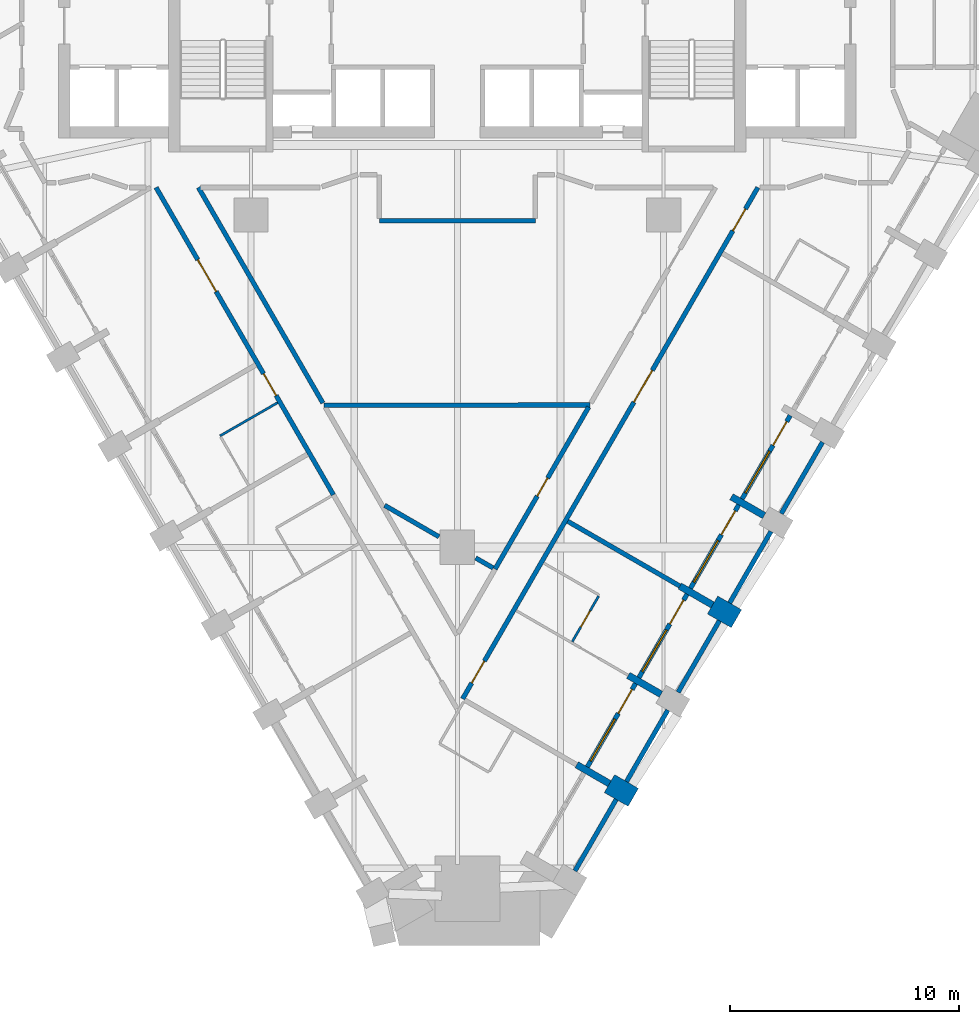
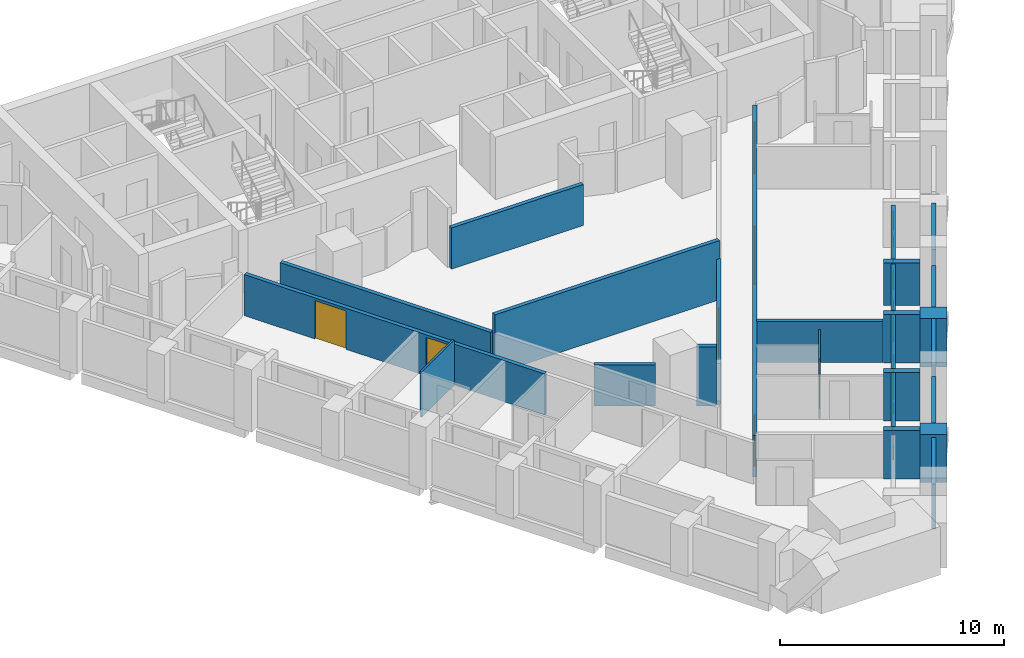
# One storey, part 4 of 11: 26 walls, 11 doors, 4 windows, 15 openings.
"""IFC4 building model written with IfcOpenShell, lengths in metres."""

from ifc_helpers import new_model, si_unit, direction, frame, frame_2d, origin, place, context, subcontext, project, spatial, polyline, rectangle, outline, extrude, material, layer, layer_set, type_object, element, fill, save


model = new_model("IFC4")

# Units and contexts
model_context = context("Model", 3, precision=1e-05, world=origin(), true_north=direction((0.0, 1.0)))
body_context = subcontext(model_context, "Body", "Model", "MODEL_VIEW")
ifc_project = project(units=[si_unit("LENGTHUNIT", "METRE"), si_unit("AREAUNIT", "SQUARE_METRE"), si_unit("VOLUMEUNIT", "CUBIC_METRE"), si_unit("PLANEANGLEUNIT", "RADIAN"), si_unit("MASSUNIT", "GRAM", prefix="KILO")], contexts=[model_context])

# Site, building, storey
site_placement = place(None, origin())
site = spatial("IfcSite", under=ifc_project, at=site_placement, CompositionType="ELEMENT")
building_placement = place(site_placement, origin())
building = spatial("IfcBuilding", under=site, at=building_placement, Name="Calabash Gate Tower", CompositionType="ELEMENT")
storey_placement = place(building_placement, frame((0.0, 0.0, 129.199951171875)))
storey = spatial("IfcBuildingStorey", under=building, at=storey_placement, Name="L30", CompositionType="ELEMENT", Elevation=129.199951171875)

# Walls
ifc_material_1 = material(Name="Terracotta brick masonry, exposed face", Category="masonry")
ifc_layer_1 = layer(ifc_material_1, 1.199951171875)
ifc_layer_set_1 = layer_set([ifc_layer_1], Name="Brick end wall 1200")
wall_type_1 = type_object("IfcWallType", Name="Brick end wall 1200", PredefinedType="SOLIDWALL", material=ifc_layer_set_1)
wall_1_placement = place(storey_placement, frame((7.67626953125, -22.9091796875, 0.0), z_axis=(0.0, 0.0, 1.0), x_axis=(-0.866094119867, 0.499880961361, 0.0)))
element("IfcWall", 1, at=wall_1_placement, inside=storey, type_object=wall_type_1, Name="Brick pier S08 SE2.1", PredefinedType="SOLIDWALL", context=body_context, shape_type="SweptSolid", body=[
    extrude(rectangle(XDim=1.199951171875, YDim=0.89990234375, at=frame_2d((0.60009765625, 0.0))), origin(), (0.0, 0.0, 1.0), 2.6279296875),
])
wall_2_placement = place(storey_placement, frame((12.17626953125, -15.114990234375, 0.0), z_axis=(0.0, 0.0, 1.0), x_axis=(-0.866094119867, 0.499880961361, 0.0)))
element("IfcWall", 2, at=wall_2_placement, inside=storey, type_object=wall_type_1, Name="Brick pier S08 SE2.3", PredefinedType="SOLIDWALL", context=body_context, shape_type="SweptSolid", body=[
    extrude(rectangle(XDim=1.199951171875, YDim=0.89990234375, at=frame_2d((0.60009765625, 0.0))), origin(), (0.0, 0.0, 1.0), 2.630126953125),
])
ifc_material_2 = material(Name="Terracotta brick masonry, exposed face", Category="masonry")
ifc_layer_2 = layer(ifc_material_2, 0.300048828125)
ifc_layer_set_2 = layer_set([ifc_layer_2], Name="Brick loggia cheek wall 300")
wall_type_2 = type_object("IfcWallType", Name="Brick loggia cheek wall 300", PredefinedType="SOLIDWALL", material=ifc_layer_set_2)
wall_3_placement = place(storey_placement, frame((6.636962890625, -22.309326171875, 0.0), z_axis=(0.0, 0.0, 1.0), x_axis=(-0.866040211805, 0.499974350878, 0.0)))
element("IfcWall", 3, at=wall_3_placement, inside=storey, type_object=wall_type_2, Name="Loggia cheek S08 SE2.1", PredefinedType="SOLIDWALL", context=body_context, shape_type="SweptSolid", body=[
    extrude(rectangle(XDim=1.64990234375, YDim=0.300048828125, at=frame_2d((0.824951171875, 0.0))), origin(), (0.0, 0.0, 1.0), 2.6279296875),
])
for number, where, z_axis, x_axis, name in (
    (4, (8.886962890625, -18.412109375, 0.0), (0.0, 0.0, 1.0), (-0.866040211805, 0.499974350878, 0.0), "Loggia cheek S08 SE2.2"),
    (5, (9.7080078125, -13.690185546875, 0.0), (0.0, 0.0, 1.0), (0.866040211805, -0.499974350878, 0.0), "Loggia cheek S08 SE2.3"),
):
    element("IfcWall", number, at=place(storey_placement, frame(where, z_axis=z_axis, x_axis=x_axis)), inside=storey, type_object=wall_type_2, Name=name, PredefinedType="SOLIDWALL", context=body_context, shape_type="SweptSolid", body=[
        extrude(rectangle(XDim=1.64990234375, YDim=0.300048828125, at=frame_2d((0.824951171875, 0.0))), origin(), (0.0, 0.0, 1.0), 2.650146484375),
    ])
wall_4_placement = place(storey_placement, frame((11.9580078125, -9.79296875, 0.0), z_axis=(0.0, 0.0, 1.0), x_axis=(0.866040211805, -0.499974350878, 0.0)))
element("IfcWall", 6, at=wall_4_placement, inside=storey, type_object=wall_type_2, Name="Loggia cheek S08 SE2.4", PredefinedType="SOLIDWALL", context=body_context, shape_type="SweptSolid", body=[
    extrude(rectangle(XDim=1.64990234375, YDim=0.300048828125, at=frame_2d((0.824951171875, 0.0))), origin(), (0.0, 0.0, 1.0), 2.30810546875),
])

# Wall, opening, door
ifc_material_3 = material(Name="Gypsum board on steel studs, mineral wool", Category="steel")
ifc_layer_3 = layer(ifc_material_3, 0.10009765625)
ifc_layer_set_3 = layer_set([ifc_layer_3], Name="Partition 100 gypsum board")
wall_type_3 = type_object("IfcWallType", Name="Partition 100 gypsum board", PredefinedType="PARTITIONING", material=ifc_layer_set_3)
wall_5_placement = place(storey_placement, frame((5.014404296875, -16.1162109375, 0.0), z_axis=(0.0, 0.0, 1.0), x_axis=(0.500617411337, 0.865668647617, 0.0)))
wall_5 = element("IfcWall", 7, at=wall_5_placement, inside=storey, type_object=wall_type_3, Name="Partition", PredefinedType="PARTITIONING", context=body_context, shape_type="SweptSolid", body=[
    extrude(rectangle(XDim=2.2978515625, YDim=0.10009765625, at=frame_2d((1.14892578125, 0.0))), origin(), (0.0, 0.0, 1.0), 3.22998046875),
])
opening_1_placement = place(wall_5_placement, frame((0.748046875, 0.0, 0.0)))
opening_1 = element("IfcOpeningElement", 8, at=opening_1_placement, cuts=wall_5, Name="Opening 28-30-009", PredefinedType="OPENING", context=body_context, shape_type="SweptSolid", body=[
    extrude(rectangle(XDim=0.800048828125, YDim=2.10009765625, at=frame_2d((0.39990234375, 1.050048828125))), frame((0.0, 0.06005859375, 0.0), z_axis=(0.0, -1.0, 0.0), x_axis=(1.0, 0.0, 0.0)), (0.0, 0.0, 1.0), 0.1201171875),
])
ifc_material_4 = material(Name="Painted timber door", Category="wood")
door_type_1 = type_object("IfcDoorType", Name="GD5 En-suite door 800x2100", OperationType="NOTDEFINED", PredefinedType="DOOR", material=ifc_material_4)
door_1_placement = place(opening_1_placement, origin())
door_1 = element("IfcDoor", 9, at=door_1_placement, inside=storey, type_object=door_type_1, Name="En-suite door", OperationType="SINGLE_SWING_RIGHT", OverallHeight=2.10009765625, OverallWidth=0.800048828125, PredefinedType="DOOR", context=body_context, shape_type="SweptSolid", body=[
    extrude(rectangle(XDim=0.800048828125, YDim=2.10009765625, at=frame_2d((0.39990234375, 1.050048828125))), frame((0.0, 0.02490234375, 0.0), z_axis=(0.0, -1.0, 0.0), x_axis=(1.0, 0.0, 0.0)), (0.0, 0.0, 1.0), 0.050048828125),
])
fill(opening_1, door_1)

# Wall
wall_6_placement = place(storey_placement, frame((-10.350830078125, -7.13671875, 0.0), z_axis=(0.0, 0.0, 1.0), x_axis=(0.86625706142, 0.499598542372, 0.0)))
element("IfcWall", 10, at=wall_6_placement, inside=storey, type_object=wall_type_3, Name="Partition", PredefinedType="PARTITIONING", context=body_context, shape_type="SweptSolid", body=[
    extrude(rectangle(XDim=2.89990234375, YDim=0.10009765625, at=frame_2d((1.449951171875, 0.0))), origin(), (0.0, 0.0, 1.0), 2.4736328125),
])

# Wall, opening, door
ifc_material_5 = material(Name="Gypsum board on steel studs, mineral wool", Category="steel")
ifc_layer_4 = layer(ifc_material_5, 0.199951171875)
ifc_layer_set_4 = layer_set([ifc_layer_4], Name="Partition 200 gypsum board EI 60")
wall_type_4 = type_object("IfcWallType", Name="Partition 200 gypsum board EI 60", PredefinedType="PARTITIONING", material=ifc_layer_set_4)
wall_7_placement = place(storey_placement, frame((1.646728515625, -12.948486328125, 0.0), z_axis=(0.0, 0.0, 1.0), x_axis=(0.500209850425, 0.865904212681, 0.0)))
wall_7 = element("IfcWall", 11, at=wall_7_placement, inside=storey, type_object=wall_type_4, Name="Partition", PredefinedType="PARTITIONING", context=body_context, shape_type="SweptSolid", body=[
    extrude(rectangle(XDim=8.16552734375, YDim=0.199951171875, at=frame_2d((4.082763671875, 0.0))), origin(), (0.0, 0.0, 1.0), 2.24169921875),
])
opening_2_placement = place(wall_7_placement, frame((3.681884765625, 0.0, 0.0)))
opening_2 = element("IfcOpeningElement", 12, at=opening_2_placement, cuts=wall_7, Name="Opening 28-30-013", PredefinedType="OPENING", context=body_context, shape_type="SweptSolid", body=[
    extrude(rectangle(XDim=0.89990234375, YDim=2.10009765625, at=frame_2d((0.449951171875, 1.050048828125))), frame((0.0, 0.10986328125, 0.0), z_axis=(0.0, -1.0, 0.0), x_axis=(1.0, 0.0, 0.0)), (0.0, 0.0, 1.0), 0.219970703125),
])
ifc_material_6 = material(Name="Steel fire door set with fire-resisting glazing", Category="steel")
door_type_2 = type_object("IfcDoorType", Name="SD3 Store door 900x2100", OperationType="NOTDEFINED", PredefinedType="DOOR", material=ifc_material_6)
door_2_placement = place(opening_2_placement, origin())
door_2 = element("IfcDoor", 13, at=door_2_placement, inside=storey, type_object=door_type_2, Name="Store door", OperationType="SINGLE_SWING_RIGHT", OverallHeight=2.10009765625, OverallWidth=0.89990234375, PredefinedType="DOOR", context=body_context, shape_type="SweptSolid", body=[
    extrude(rectangle(XDim=0.89990234375, YDim=2.10009765625, at=frame_2d((0.449951171875, 1.050048828125))), frame((0.0, 0.02490234375, 0.0), z_axis=(0.0, -1.0, 0.0), x_axis=(1.0, 0.0, 0.0)), (0.0, 0.0, 1.0), 0.050048828125),
])
fill(opening_2, door_2)

# Walls
wall_8_placement = place(storey_placement, frame((0.800048828125, -12.461669921875, 0.0), z_axis=(0.0, 0.0, 1.0), x_axis=(0.866903294585, -0.498476356347, 0.0)))
element("IfcWall", 14, at=wall_8_placement, inside=storey, type_object=wall_type_4, Name="Partition", PredefinedType="PARTITIONING", context=body_context, shape_type="SweptSolid", body=[
    extrude(rectangle(XDim=0.876708984375, YDim=0.199951171875, at=frame_2d((0.4384765625, 0.0))), origin(), (0.0, 0.0, 1.0), 3.22998046875),
])
wall_9_placement = place(storey_placement, frame((4.816162109375, -10.863525390625, 0.0), z_axis=(0.0, 0.0, 1.0), x_axis=(0.865863825321, -0.500279757735, 0.0)))
element("IfcWall", 15, at=wall_9_placement, inside=storey, type_object=wall_type_4, Name="Partition", PredefinedType="PARTITIONING", context=body_context, shape_type="SweptSolid", body=[
    extrude(rectangle(XDim=5.649658203125, YDim=0.199951171875, at=frame_2d((2.82470703125, 0.0))), origin(), (0.0, 0.0, 1.0), 2.24169921875),
])
wall_10_placement = place(storey_placement, frame((-3.17138671875, -10.167724609375, 0.0), z_axis=(0.0, 0.0, 1.0), x_axis=(0.865863357012, -0.500280568265, 0.0)))
element("IfcWall", 16, at=wall_10_placement, inside=storey, type_object=wall_type_4, Name="Partition", PredefinedType="PARTITIONING", context=body_context, shape_type="SweptSolid", body=[
    extrude(rectangle(XDim=2.73876953125, YDim=0.199951171875, at=frame_2d((1.369384765625, 0.0))), origin(), (0.0, 0.0, 1.0), 2.24169921875),
])

# Wall, openings, doors
wall_11_placement = place(storey_placement, frame((-13.143310546875, 3.69970703125, 0.0), z_axis=(0.0, 0.0, 1.0), x_axis=(0.499816656841, -0.866131231133, 0.0)))
wall_11 = element("IfcWall", 17, at=wall_11_placement, inside=storey, type_object=wall_type_4, Name="Partition", PredefinedType="PARTITIONING", context=body_context, shape_type="SweptSolid", body=[
    extrude(rectangle(XDim=15.480224609375, YDim=0.199951171875, at=frame_2d((7.740234375, 0.0))), origin(), (0.0, 0.0, 1.0), 2.24169921875),
])
opening_3_placement = place(wall_11_placement, frame((3.640380859375, 0.0, 0.0)))
opening_3 = element("IfcOpeningElement", 18, at=opening_3_placement, cuts=wall_11, Name="Opening 28-30-001", PredefinedType="OPENING", context=body_context, shape_type="SweptSolid", body=[
    extrude(rectangle(XDim=1.60009765625, YDim=2.10009765625, at=frame_2d((0.800048828125, 1.050048828125))), frame((0.0, 0.10986328125, 0.0), z_axis=(0.0, -1.0, 0.0), x_axis=(1.0, 0.0, 0.0)), (0.0, 0.0, 1.0), 0.219970703125),
])
opening_4_placement = place(wall_11_placement, frame((9.380859375, 0.0, 0.0)))
opening_4 = element("IfcOpeningElement", 19, at=opening_4_placement, cuts=wall_11, Name="Opening 28-30-002", PredefinedType="OPENING", context=body_context, shape_type="SweptSolid", body=[
    extrude(rectangle(XDim=1.10009765625, YDim=2.10009765625, at=frame_2d((0.550048828125, 1.050048828125))), frame((0.0, 0.10986328125, 0.0), z_axis=(0.0, -1.0, 0.0), x_axis=(1.0, 0.0, 0.0)), (0.0, 0.0, 1.0), 0.219970703125),
])
ifc_material_7 = material(Name="Steel fire door set with fire-resisting glazing", Category="steel")
door_type_3 = type_object("IfcDoorType", Name="GD2 Accessible guest room entrance door 1100x2100", OperationType="NOTDEFINED", PredefinedType="DOOR", material=ifc_material_7)
door_3_placement = place(opening_4_placement, origin())
door_3 = element("IfcDoor", 20, at=door_3_placement, inside=storey, type_object=door_type_3, Name="Accessible guest room entrance door", OperationType="SINGLE_SWING_RIGHT", OverallHeight=2.10009765625, OverallWidth=1.10009765625, PredefinedType="DOOR", context=body_context, shape_type="SweptSolid", body=[
    extrude(rectangle(XDim=1.10009765625, YDim=2.10009765625, at=frame_2d((0.550048828125, 1.050048828125))), frame((0.0, 0.02490234375, 0.0), z_axis=(0.0, -1.0, 0.0), x_axis=(1.0, 0.0, 0.0)), (0.0, 0.0, 1.0), 0.050048828125),
])
fill(opening_4, door_3)
ifc_material_8 = material(Name="Steel fire door set with fire-resisting glazing", Category="steel")
door_type_4 = type_object("IfcDoorType", Name="LD1 Lounge double door 1600x2100", OperationType="NOTDEFINED", PredefinedType="DOOR", material=ifc_material_8)
door_4_placement = place(opening_3_placement, origin())
door_4 = element("IfcDoor", 21, at=door_4_placement, inside=storey, type_object=door_type_4, Name="Lounge double door", OperationType="DOUBLE_DOOR_SINGLE_SWING", OverallHeight=2.10009765625, OverallWidth=1.60009765625, PredefinedType="DOOR", context=body_context, shape_type="SweptSolid", body=[
    extrude(rectangle(XDim=1.60009765625, YDim=2.10009765625, at=frame_2d((0.800048828125, 1.050048828125))), frame((0.0, 0.02490234375, 0.0), z_axis=(0.0, -1.0, 0.0), x_axis=(1.0, 0.0, 0.0)), (0.0, 0.0, 1.0), 0.050048828125),
])
fill(opening_3, door_4)

# Walls
wall_12_placement = place(storey_placement, frame((-5.8125, -5.793212890625, 0.0), z_axis=(0.0, 0.0, 1.0), x_axis=(0.999999989135, 0.000147408763, 0.0)))
element("IfcWall", 22, at=wall_12_placement, inside=storey, type_object=wall_type_4, Name="Partition", PredefinedType="PARTITIONING", context=body_context, shape_type="SweptSolid", body=[
    extrude(rectangle(XDim=11.593505859375, YDim=0.199951171875, at=frame_2d((5.796875, 0.0))), origin(), (0.0, 0.0, 1.0), 3.22998046875),
])
wall_13_placement = place(storey_placement, frame((-3.400146484375, 2.25244140625, 0.0), z_axis=(0.0, 0.0, 1.0), x_axis=(1.0, 0.0, 0.0)))
element("IfcWall", 23, at=wall_13_placement, inside=storey, type_object=wall_type_4, Name="Partition", PredefinedType="PARTITIONING", context=body_context, shape_type="SweptSolid", body=[
    extrude(rectangle(XDim=6.800048828125, YDim=0.199951171875, at=frame_2d((3.39990234375, 0.0))), origin(), (0.0, 0.0, 1.0), 2.24169921875),
])
wall_14_placement = place(storey_placement, frame((-11.29541015625, 3.69970703125, 0.0), z_axis=(0.0, 0.0, 1.0), x_axis=(0.500007885066, -0.866020851292, 0.0)))
element("IfcWall", 24, at=wall_14_placement, inside=storey, type_object=wall_type_4, Name="Partition", PredefinedType="PARTITIONING", context=body_context, shape_type="SweptSolid", body=[
    extrude(rectangle(XDim=10.859130859375, YDim=0.199951171875, at=frame_2d((5.4296875, 0.0))), origin(), (0.0, 0.0, 1.0), 2.24169921875),
])

# Wall, openings, doors
wall_15_placement = place(storey_placement, frame((0.22998046875, -18.6103515625, 0.0), z_axis=(0.0, 0.0, 1.0), x_axis=(0.499999197515, 0.866025867099, 0.0)))
wall_15 = element("IfcWall", 25, at=wall_15_placement, inside=storey, type_object=wall_type_4, Name="Partition", PredefinedType="PARTITIONING", context=body_context, shape_type="SweptSolid", body=[
    extrude(rectangle(XDim=25.76025390625, YDim=0.199951171875, at=frame_2d((12.880126953125, 0.0))), origin(), (0.0, 0.0, 1.0), 2.24169921875),
])
opening_5_placement = place(wall_15_placement, frame((0.800048828125, 0.0, 0.0)))
opening_5 = element("IfcOpeningElement", 26, at=opening_5_placement, cuts=wall_15, Name="Opening 28-30-007", PredefinedType="OPENING", context=body_context, shape_type="SweptSolid", body=[
    extrude(rectangle(XDim=1.10009765625, YDim=2.10009765625, at=frame_2d((0.550048828125, 1.050048828125))), frame((0.0, 0.10986328125, 0.0), z_axis=(0.0, -1.0, 0.0), x_axis=(1.0, 0.0, 0.0)), (0.0, 0.0, 1.0), 0.219970703125),
])
opening_6_placement = place(wall_15_placement, frame((14.9501953125, 0.0, 0.0)))
opening_6 = element("IfcOpeningElement", 27, at=opening_6_placement, cuts=wall_15, Name="Opening 28-30-010", PredefinedType="OPENING", context=body_context, shape_type="SweptSolid", body=[
    extrude(rectangle(XDim=1.60009765625, YDim=2.10009765625, at=frame_2d((0.800048828125, 1.050048828125))), frame((0.0, 0.10986328125, 0.0), z_axis=(0.0, -1.0, 0.0), x_axis=(1.0, 0.0, 0.0)), (0.0, 0.0, 1.0), 0.219970703125),
])
opening_7_placement = place(wall_15_placement, frame((23.580322265625, 0.0, 0.0)))
opening_7 = element("IfcOpeningElement", 28, at=opening_7_placement, cuts=wall_15, Name="Opening 28-30-023", PredefinedType="OPENING", context=body_context, shape_type="SweptSolid", body=[
    extrude(rectangle(XDim=1.10009765625, YDim=2.10009765625, at=frame_2d((0.550048828125, 1.050048828125))), frame((0.0, 0.10986328125, 0.0), z_axis=(0.0, -1.0, 0.0), x_axis=(1.0, 0.0, 0.0)), (0.0, 0.0, 1.0), 0.219970703125),
])
ifc_material_9 = material(Name="Steel fire door set with fire-resisting glazing", Category="steel")
door_type_5 = type_object("IfcDoorType", Name="GD3 Suite entrance door 1100x2100", OperationType="NOTDEFINED", PredefinedType="DOOR", material=ifc_material_9)
door_5_placement = place(opening_5_placement, origin())
door_5 = element("IfcDoor", 29, at=door_5_placement, inside=storey, type_object=door_type_5, Name="Suite entrance door", OperationType="SINGLE_SWING_RIGHT", OverallHeight=2.10009765625, OverallWidth=1.10009765625, PredefinedType="DOOR", context=body_context, shape_type="SweptSolid", body=[
    extrude(rectangle(XDim=1.10009765625, YDim=2.10009765625, at=frame_2d((0.550048828125, 1.050048828125))), frame((0.0, 0.02490234375, 0.0), z_axis=(0.0, -1.0, 0.0), x_axis=(1.0, 0.0, 0.0)), (0.0, 0.0, 1.0), 0.050048828125),
])
fill(opening_5, door_5)
door_6_placement = place(opening_7_placement, origin())
door_6 = element("IfcDoor", 30, at=door_6_placement, inside=storey, type_object=door_type_5, Name="Suite entrance door", OperationType="SINGLE_SWING_LEFT", OverallHeight=2.10009765625, OverallWidth=1.10009765625, PredefinedType="DOOR", context=body_context, shape_type="SweptSolid", body=[
    extrude(rectangle(XDim=1.10009765625, YDim=2.10009765625, at=frame_2d((0.550048828125, 1.050048828125))), frame((0.0, 0.02490234375, 0.0), z_axis=(0.0, -1.0, 0.0), x_axis=(1.0, 0.0, 0.0)), (0.0, 0.0, 1.0), 0.050048828125),
])
fill(opening_7, door_6)
door_7_placement = place(opening_6_placement, origin())
door_7 = element("IfcDoor", 31, at=door_7_placement, inside=storey, type_object=door_type_4, Name="Lounge double door", OperationType="DOUBLE_DOOR_SINGLE_SWING", OverallHeight=2.10009765625, OverallWidth=1.60009765625, PredefinedType="DOOR", context=body_context, shape_type="SweptSolid", body=[
    extrude(rectangle(XDim=1.60009765625, YDim=2.10009765625, at=frame_2d((0.800048828125, 1.050048828125))), frame((0.0, 0.02490234375, 0.0), z_axis=(0.0, -1.0, 0.0), x_axis=(1.0, 0.0, 0.0)), (0.0, 0.0, 1.0), 0.050048828125),
])
fill(opening_6, door_7)

# Walls
ifc_material_10 = material(Name="Terracotta brick masonry, perforated", Category="masonry")
ifc_layer_5 = layer(ifc_material_10, 0.199951171875)
ifc_layer_set_5 = layer_set([ifc_layer_5], Name="Terracotta jaali screen B")
wall_type_5 = type_object("IfcWallType", Name="Terracotta jaali screen B", PredefinedType="SOLIDWALL", material=ifc_layer_set_5)
wall_16_placement = place(storey_placement, origin())
element("IfcWall", 32, at=wall_16_placement, inside=storey, type_object=wall_type_5, Name="SCREEN B S08 SE2.1", PredefinedType="SOLIDWALL", context=body_context, shape_type="SweptSolid", body=[
    extrude(outline(polyline([(6.844970703125, -22.948974609375), (5.045166015625, -26.066162109375), (5.218505859375, -26.166259765625), (7.01806640625, -23.049072265625), (6.844970703125, -22.948974609375)])), origin(), (0.0, 0.0, 1.0), 2.4501953125),
])
for number, where, z_axis, x_axis, name in (
    (33, (7.381591796875, -22.219482421875, 0.0), (0.0, 0.0, 1.0), (0.500012057535, 0.866018442252, 0.0), "SCREEN B S08 SE2.2"),
    (34, (9.631591796875, -18.322509765625, 0.0), (0.0, 0.0, 1.0), (0.500012057535, 0.866018442252, 0.0), "SCREEN B S08 SE2.3"),
):
    element("IfcWall", number, at=place(storey_placement, frame(where, z_axis=z_axis, x_axis=x_axis)), inside=storey, type_object=wall_type_5, Name=name, PredefinedType="SOLIDWALL", context=body_context, shape_type="SweptSolid", body=[
        extrude(rectangle(XDim=3.60009765625, YDim=0.199951171875, at=frame_2d((1.800048828125, 0.0))), origin(), (0.0, 0.0, 1.0), 2.630126953125),
    ])
wall_17_placement = place(storey_placement, frame((11.881591796875, -14.42529296875, 0.0), z_axis=(0.0, 0.0, 1.0), x_axis=(0.500012057535, 0.866018442252, 0.0)))
element("IfcWall", 35, at=wall_17_placement, inside=storey, type_object=wall_type_5, Name="SCREEN B S08 SE2.4", PredefinedType="SOLIDWALL", context=body_context, shape_type="SweptSolid", body=[
    extrude(rectangle(XDim=3.60009765625, YDim=0.199951171875, at=frame_2d((1.800048828125, 0.0))), origin(), (0.0, 0.0, 1.0), 2.3740234375),
])
wall_18_placement = place(storey_placement, frame((14.131591796875, -10.5283203125, 0.0), z_axis=(0.0, 0.0, 1.0), x_axis=(0.500012057535, 0.866018442252, 0.0)))
element("IfcWall", 36, at=wall_18_placement, inside=storey, type_object=wall_type_5, Name="SCREEN B S08 SE2.5", PredefinedType="SOLIDWALL", context=body_context, shape_type="SweptSolid", body=[
    extrude(rectangle(XDim=3.60009765625, YDim=0.199951171875, at=frame_2d((1.800048828125, 0.0))), origin(), (0.0, 0.0, 1.0), 2.630126953125),
])

# Wall, openings, door, window
ifc_material_11 = material(Name="Aluminium framed window wall with insulated spandrel", Category="aluminium")
ifc_layer_6 = layer(ifc_material_11, 0.199951171875)
ifc_layer_set_6 = layer_set([ifc_layer_6], Name="Window wall 200")
wall_type_6 = type_object("IfcWallType", Name="Window wall 200", PredefinedType="ELEMENTEDWALL", material=ifc_layer_set_6)
wall_19_placement = place(storey_placement, frame((5.6728515625, -21.579345703125, 0.0), z_axis=(0.0, 0.0, 1.0), x_axis=(0.49998411664, 0.866034573852, 0.0)))
wall_19 = element("IfcWall", 37, at=wall_19_placement, inside=storey, type_object=wall_type_6, Name="Window wall S08 SE2.2", PredefinedType="ELEMENTEDWALL", context=body_context, shape_type="SweptSolid", body=[
    extrude(rectangle(XDim=4.199951171875, YDim=0.199951171875, at=frame_2d((2.10009765625, 0.0))), origin(), (0.0, 0.0, 1.0), 2.6279296875),
])
opening_8_placement = place(wall_19_placement, frame((0.300048828125, 0.0, 0.60009765625)))
opening_8 = element("IfcOpeningElement", 38, at=opening_8_placement, cuts=wall_19, Name="Opening HW1", PredefinedType="OPENING", context=body_context, shape_type="SweptSolid", body=[
    extrude(rectangle(XDim=2.10009765625, YDim=1.800048828125, at=frame_2d((1.050048828125, 0.89990234375))), frame((0.0, 0.10986328125, 0.0), z_axis=(0.0, -1.0, 0.0), x_axis=(1.0, 0.0, 0.0)), (0.0, 0.0, 1.0), 0.219970703125),
])
opening_9_placement = place(wall_19_placement, frame((2.699951171875, 0.0, 0.0)))
opening_9 = element("IfcOpeningElement", 39, at=opening_9_placement, cuts=wall_19, Name="Opening H8-019", PredefinedType="OPENING", context=body_context, shape_type="SweptSolid", body=[
    extrude(rectangle(XDim=1.199951171875, YDim=2.39990234375, at=frame_2d((0.60009765625, 1.199951171875))), frame((0.0, 0.10986328125, 0.0), z_axis=(0.0, -1.0, 0.0), x_axis=(1.0, 0.0, 0.0)), (0.0, 0.0, 1.0), 0.219970703125),
])
ifc_material_12 = material(Name="Anodised aluminium frame, bronze finish, impact-rated laminated clear glazing", Category="aluminium")
door_type_6 = type_object("IfcDoorType", Name="Loggia door DH1 1200x2400", OperationType="SLIDING_TO_LEFT", PredefinedType="DOOR", material=ifc_material_12)
door_8_placement = place(opening_9_placement, origin())
door_8 = element("IfcDoor", 40, at=door_8_placement, inside=storey, type_object=door_type_6, Name="Loggia door S08 SE2.2", OperationType="SINGLE_SWING_LEFT", OverallHeight=2.39990234375, OverallWidth=1.199951171875, PredefinedType="DOOR", context=body_context, shape_type="SweptSolid", body=[
    extrude(rectangle(XDim=1.199951171875, YDim=2.39990234375, at=frame_2d((0.60009765625, 1.199951171875))), frame((0.0, 0.02490234375, 0.0), z_axis=(0.0, -1.0, 0.0), x_axis=(1.0, 0.0, 0.0)), (0.0, 0.0, 1.0), 0.050048828125),
])
fill(opening_9, door_8)
ifc_material_13 = material(Name="Anodised aluminium frame, bronze finish, impact-rated laminated clear glazing", Category="aluminium")
window_type_1 = type_object("IfcWindowType", Name="Window HW1 2100x1800", PartitioningType="DOUBLE_PANEL_VERTICAL", PredefinedType="WINDOW", material=ifc_material_13)
window_1_placement = place(opening_8_placement, origin())
window_1 = element("IfcWindow", 41, at=window_1_placement, inside=storey, type_object=window_type_1, Name="Window HW1 S08 SE2.2", OverallHeight=1.800048828125, OverallWidth=2.10009765625, PartitioningType="SINGLE_PANEL", PredefinedType="WINDOW", context=body_context, shape_type="SweptSolid", body=[
    extrude(rectangle(XDim=2.10009765625, YDim=1.800048828125, at=frame_2d((1.050048828125, 0.89990234375))), frame((0.0, 0.030029296875, 0.0), z_axis=(0.0, -1.0, 0.0), x_axis=(1.0, 0.0, 0.0)), (0.0, 0.0, 1.0), 0.06005859375),
])
fill(opening_8, window_1)

wall_20_placement = place(storey_placement, frame((7.9228515625, -17.682373046875, 0.0), z_axis=(0.0, 0.0, 1.0), x_axis=(0.499958946799, 0.866049104564, 0.0)))
wall_20 = element("IfcWall", 42, at=wall_20_placement, inside=storey, type_object=wall_type_6, Name="Window wall S08 SE2.3", PredefinedType="ELEMENTEDWALL", context=body_context, shape_type="SweptSolid", body=[
    extrude(rectangle(XDim=4.199951171875, YDim=0.199951171875, at=frame_2d((2.10009765625, 0.0))), origin(), (0.0, 0.0, 1.0), 2.650146484375),
])
opening_10_placement = place(wall_20_placement, frame((0.300048828125, 0.0, 0.60009765625)))
opening_10 = element("IfcOpeningElement", 43, at=opening_10_placement, cuts=wall_20, Name="Opening HW1", PredefinedType="OPENING", context=body_context, shape_type="SweptSolid", body=[
    extrude(rectangle(XDim=2.10009765625, YDim=1.800048828125, at=frame_2d((1.050048828125, 0.89990234375))), frame((0.0, 0.10986328125, 0.0), z_axis=(0.0, -1.0, 0.0), x_axis=(1.0, 0.0, 0.0)), (0.0, 0.0, 1.0), 0.219970703125),
])
opening_11_placement = place(wall_20_placement, frame((2.699951171875, 0.0, 0.0)))
opening_11 = element("IfcOpeningElement", 44, at=opening_11_placement, cuts=wall_20, Name="Opening H8-020", PredefinedType="OPENING", context=body_context, shape_type="SweptSolid", body=[
    extrude(rectangle(XDim=1.199951171875, YDim=2.39990234375, at=frame_2d((0.60009765625, 1.199951171875))), frame((0.0, 0.10986328125, 0.0), z_axis=(0.0, -1.0, 0.0), x_axis=(1.0, 0.0, 0.0)), (0.0, 0.0, 1.0), 0.219970703125),
])
door_9_placement = place(opening_11_placement, origin())
door_9 = element("IfcDoor", 45, at=door_9_placement, inside=storey, type_object=door_type_6, Name="Loggia door S08 SE2.3", OperationType="SINGLE_SWING_LEFT", OverallHeight=2.39990234375, OverallWidth=1.199951171875, PredefinedType="DOOR", context=body_context, shape_type="SweptSolid", body=[
    extrude(rectangle(XDim=1.199951171875, YDim=2.39990234375, at=frame_2d((0.60009765625, 1.199951171875))), frame((0.0, 0.02490234375, 0.0), z_axis=(0.0, -1.0, 0.0), x_axis=(1.0, 0.0, 0.0)), (0.0, 0.0, 1.0), 0.050048828125),
])
fill(opening_11, door_9)
window_2_placement = place(opening_10_placement, origin())
window_2 = element("IfcWindow", 46, at=window_2_placement, inside=storey, type_object=window_type_1, Name="Window HW1 S08 SE2.3", OverallHeight=1.800048828125, OverallWidth=2.10009765625, PartitioningType="SINGLE_PANEL", PredefinedType="WINDOW", context=body_context, shape_type="SweptSolid", body=[
    extrude(rectangle(XDim=2.10009765625, YDim=1.800048828125, at=frame_2d((1.050048828125, 0.89990234375))), frame((0.0, 0.030029296875, 0.0), z_axis=(0.0, -1.0, 0.0), x_axis=(1.0, 0.0, 0.0)), (0.0, 0.0, 1.0), 0.06005859375),
])
fill(opening_10, window_2)

wall_21_placement = place(storey_placement, frame((10.1728515625, -13.78515625, 0.0), z_axis=(0.0, 0.0, 1.0), x_axis=(0.49998411664, 0.866034573852, 0.0)))
wall_21 = element("IfcWall", 47, at=wall_21_placement, inside=storey, type_object=wall_type_6, Name="Window wall S08 SE2.4", PredefinedType="ELEMENTEDWALL", context=body_context, shape_type="SweptSolid", body=[
    extrude(rectangle(XDim=4.199951171875, YDim=0.199951171875, at=frame_2d((2.10009765625, 0.0))), origin(), (0.0, 0.0, 1.0), 2.24169921875),
])
opening_12_placement = place(wall_21_placement, frame((0.300048828125, 0.0, 0.60009765625)))
opening_12 = element("IfcOpeningElement", 48, at=opening_12_placement, cuts=wall_21, Name="Opening HW1L-1540", PredefinedType="OPENING", context=body_context, shape_type="SweptSolid", body=[
    extrude(rectangle(XDim=2.10009765625, YDim=1.5400390625, at=frame_2d((1.050048828125, 0.77001953125))), frame((0.0, 0.10986328125, 0.0), z_axis=(0.0, -1.0, 0.0), x_axis=(1.0, 0.0, 0.0)), (0.0, 0.0, 1.0), 0.219970703125),
])
opening_13_placement = place(wall_21_placement, frame((2.699951171875, 0.0, 0.0)))
opening_13 = element("IfcOpeningElement", 49, at=opening_13_placement, cuts=wall_21, Name="Opening H8-021", PredefinedType="OPENING", context=body_context, shape_type="SweptSolid", body=[
    extrude(rectangle(XDim=1.199951171875, YDim=2.139892578125, at=frame_2d((0.60009765625, 1.06982421875))), frame((0.0, 0.10986328125, 0.0), z_axis=(0.0, -1.0, 0.0), x_axis=(1.0, 0.0, 0.0)), (0.0, 0.0, 1.0), 0.219970703125),
])
ifc_material_14 = material(Name="Anodised aluminium frame, bronze finish, impact-rated laminated clear glazing", Category="aluminium")
door_type_7 = type_object("IfcDoorType", Name="Loggia door DH1L-2140 1200x2140", OperationType="SLIDING_TO_LEFT", PredefinedType="DOOR", material=ifc_material_14)
door_10_placement = place(opening_13_placement, origin())
door_10 = element("IfcDoor", 50, at=door_10_placement, inside=storey, type_object=door_type_7, Name="Loggia door S08 SE2.4", OperationType="SINGLE_SWING_LEFT", OverallHeight=2.139892578125, OverallWidth=1.199951171875, PredefinedType="DOOR", context=body_context, shape_type="SweptSolid", body=[
    extrude(rectangle(XDim=1.199951171875, YDim=2.139892578125, at=frame_2d((0.60009765625, 1.06982421875))), frame((0.0, 0.02490234375, 0.0), z_axis=(0.0, -1.0, 0.0), x_axis=(1.0, 0.0, 0.0)), (0.0, 0.0, 1.0), 0.050048828125),
])
fill(opening_13, door_10)
ifc_material_15 = material(Name="Anodised aluminium frame, bronze finish, impact-rated laminated clear glazing", Category="aluminium")
window_type_2 = type_object("IfcWindowType", Name="Window HW1L 2100x1540", PartitioningType="DOUBLE_PANEL_VERTICAL", PredefinedType="WINDOW", material=ifc_material_15)
window_3_placement = place(opening_12_placement, origin())
window_3 = element("IfcWindow", 51, at=window_3_placement, inside=storey, type_object=window_type_2, Name="Window HW1 S08 SE2.4", OverallHeight=1.5400390625, OverallWidth=2.10009765625, PartitioningType="SINGLE_PANEL", PredefinedType="WINDOW", context=body_context, shape_type="SweptSolid", body=[
    extrude(rectangle(XDim=2.10009765625, YDim=1.5400390625, at=frame_2d((1.050048828125, 0.77001953125))), frame((0.0, 0.030029296875, 0.0), z_axis=(0.0, -1.0, 0.0), x_axis=(1.0, 0.0, 0.0)), (0.0, 0.0, 1.0), 0.06005859375),
])
fill(opening_12, window_3)

wall_22_placement = place(storey_placement, frame((12.4228515625, -9.887939453125, 0.0), z_axis=(0.0, 0.0, 1.0), x_axis=(0.49998411664, 0.866034573852, 0.0)))
wall_22 = element("IfcWall", 52, at=wall_22_placement, inside=storey, type_object=wall_type_6, Name="Window wall S08 SE2.5", PredefinedType="ELEMENTEDWALL", context=body_context, shape_type="SweptSolid", body=[
    extrude(rectangle(XDim=4.199951171875, YDim=0.199951171875, at=frame_2d((2.10009765625, 0.0))), origin(), (0.0, 0.0, 1.0), 2.30810546875),
])
opening_14_placement = place(wall_22_placement, frame((0.300048828125, 0.0, 0.60009765625)))
opening_14 = element("IfcOpeningElement", 53, at=opening_14_placement, cuts=wall_22, Name="Opening HW1L-1610", PredefinedType="OPENING", context=body_context, shape_type="SweptSolid", body=[
    extrude(rectangle(XDim=2.10009765625, YDim=1.610107421875, at=frame_2d((1.050048828125, 0.80517578125))), frame((0.0, 0.10986328125, 0.0), z_axis=(0.0, -1.0, 0.0), x_axis=(1.0, 0.0, 0.0)), (0.0, 0.0, 1.0), 0.219970703125),
])
opening_15_placement = place(wall_22_placement, frame((2.699951171875, 0.0, 0.0)))
opening_15 = element("IfcOpeningElement", 54, at=opening_15_placement, cuts=wall_22, Name="Opening H8-022", PredefinedType="OPENING", context=body_context, shape_type="SweptSolid", body=[
    extrude(rectangle(XDim=1.199951171875, YDim=2.2099609375, at=frame_2d((0.60009765625, 1.10498046875))), frame((0.0, 0.10986328125, 0.0), z_axis=(0.0, -1.0, 0.0), x_axis=(1.0, 0.0, 0.0)), (0.0, 0.0, 1.0), 0.219970703125),
])
ifc_material_16 = material(Name="Anodised aluminium frame, bronze finish, impact-rated laminated clear glazing", Category="aluminium")
door_type_8 = type_object("IfcDoorType", Name="Loggia door DH1L-2210 1200x2210", OperationType="SLIDING_TO_LEFT", PredefinedType="DOOR", material=ifc_material_16)
door_11_placement = place(opening_15_placement, origin())
door_11 = element("IfcDoor", 55, at=door_11_placement, inside=storey, type_object=door_type_8, Name="Loggia door S08 SE2.5", OperationType="SINGLE_SWING_LEFT", OverallHeight=2.2099609375, OverallWidth=1.199951171875, PredefinedType="DOOR", context=body_context, shape_type="SweptSolid", body=[
    extrude(rectangle(XDim=1.199951171875, YDim=2.2099609375, at=frame_2d((0.60009765625, 1.10498046875))), frame((0.0, 0.02490234375, 0.0), z_axis=(0.0, -1.0, 0.0), x_axis=(1.0, 0.0, 0.0)), (0.0, 0.0, 1.0), 0.050048828125),
])
fill(opening_15, door_11)
ifc_material_17 = material(Name="Anodised aluminium frame, bronze finish, impact-rated laminated clear glazing", Category="aluminium")
window_type_3 = type_object("IfcWindowType", Name="Window HW1L 2100x1610", PartitioningType="DOUBLE_PANEL_VERTICAL", PredefinedType="WINDOW", material=ifc_material_17)
window_4_placement = place(opening_14_placement, origin())
window_4 = element("IfcWindow", 56, at=window_4_placement, inside=storey, type_object=window_type_3, Name="Window HW1 S08 SE2.5", OverallHeight=1.610107421875, OverallWidth=2.10009765625, PartitioningType="SINGLE_PANEL", PredefinedType="WINDOW", context=body_context, shape_type="SweptSolid", body=[
    extrude(rectangle(XDim=2.10009765625, YDim=1.610107421875, at=frame_2d((1.050048828125, 0.80517578125))), frame((0.0, 0.030029296875, 0.0), z_axis=(0.0, -1.0, 0.0), x_axis=(1.0, 0.0, 0.0)), (0.0, 0.0, 1.0), 0.06005859375),
])
fill(opening_14, window_4)

save(model, "model.ifc")
